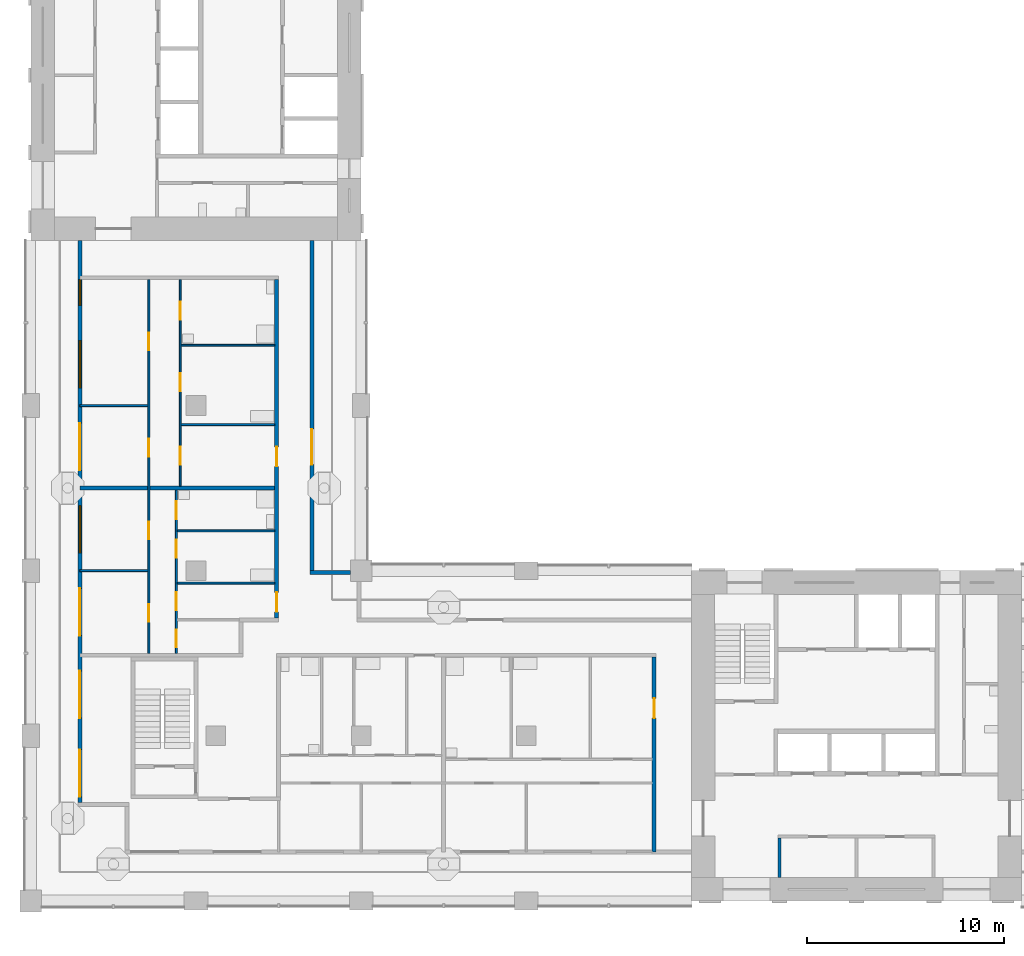
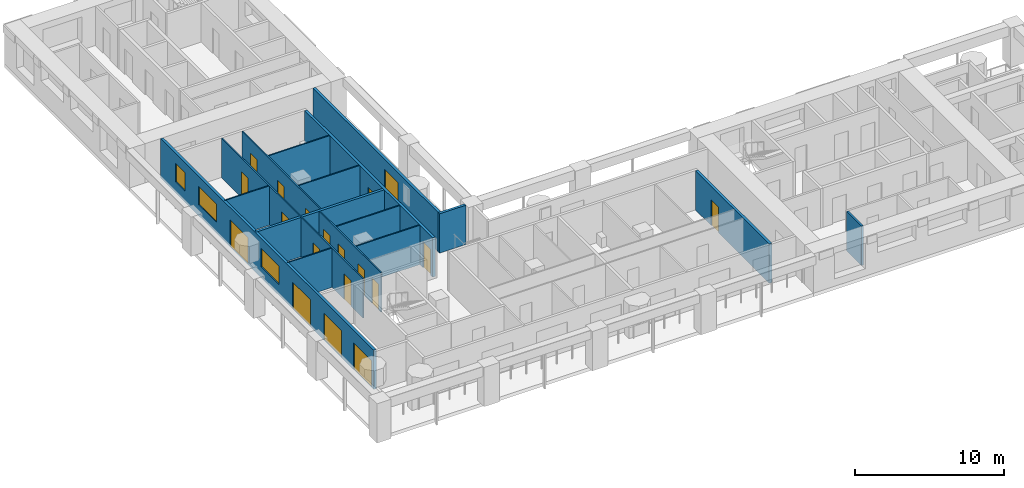
# One storey, part 3 of 13: 19 doors, 16 walls, 3 windows, 22 openings.
"""IFC4 building model written with IfcOpenShell, lengths in metres."""

import ifcopenshell
import ifcopenshell.guid

model = None  # the IFC model being written
_history = None  # IfcOwnerHistory: only IFC2X3 demands one
_inside = {}  # id of a spatial element -> (the spatial element, [elements in it])
_under = {}  # id of a project, library or spatial element -> (it, [spatial elements below it])
_declared = {}  # id of a project -> (the project, [libraries it declares])
_typed = {}  # id of a type object -> (the type object, [elements of that type])
_made_of = {}  # id of a material, layer set ... -> (it, [elements and type objects made of it])


def new_model(schema):
    """Start an empty IFC model of exactly this schema.

    Asked for "IFC4X3", IfcOpenShell would pick the latest addendum, in which some entities
    have other attributes; the version numbers below select the first issue.
    IFC2X3 requires an IfcOwnerHistory on every rooted entity: one is made here for all.
    """
    global model, _history
    if schema == "IFC4X3":
        model = ifcopenshell.file(schema_version=(4, 3, 0, 0))
    else:
        model = ifcopenshell.file(schema=schema)
    _inside.clear()
    _under.clear()
    _declared.clear()
    _typed.clear()
    _made_of.clear()
    _history = None
    if model.schema == "IFC2X3":
        org = make("IfcOrganization", Name="unknown")
        user = make(
            "IfcPersonAndOrganization",
            ThePerson=make("IfcPerson", FamilyName="unknown"),
            TheOrganization=org,
        )
        app = make(
            "IfcApplication",
            ApplicationDeveloper=org,
            Version="unknown",
            ApplicationFullName="unknown",
            ApplicationIdentifier="unknown",
        )
        _history = make(
            "IfcOwnerHistory",
            OwningUser=user,
            OwningApplication=app,
            ChangeAction="ADDED",
            CreationDate=0,
        )
    return model


def make(cls, **values):
    """One entity of the class cls with the attributes given. An attribute that is None is left unset."""
    return model.create_entity(
        cls, **{name: value for name, value in values.items() if value is not None}
    )


def rooted(cls, **values):
    """An entity with a GlobalId (a new one), such as an element, a storey or a relation."""
    return make(cls, GlobalId=ifcopenshell.guid.new(), OwnerHistory=_history, **values)


def si_unit(unit_type, name, prefix=None):
    """IfcSIUnit, for example si_unit("LENGTHUNIT", "METRE", prefix="MILLI")."""
    return make("IfcSIUnit", UnitType=unit_type, Prefix=prefix, Name=name)


def assignment(units):
    """IfcUnitAssignment: the units of a project."""
    return None if units is None else make("IfcUnitAssignment", Units=units)


def point(xyz):
    """IfcCartesianPoint."""
    return None if xyz is None else make("IfcCartesianPoint", Coordinates=xyz)


def direction(xyz):
    """IfcDirection."""
    return None if xyz is None else make("IfcDirection", DirectionRatios=xyz)


def frame(location, z_axis=None, x_axis=None):
    """IfcAxis2Placement3D, a coordinate frame: its origin and axes. An axis left out is left unset."""
    return make(
        "IfcAxis2Placement3D",
        Location=point(location),
        Axis=direction(z_axis),
        RefDirection=direction(x_axis),
    )


def frame_2d(location, x_axis=None):
    """IfcAxis2Placement2D, a coordinate frame in the plane: its origin and x axis."""
    return make(
        "IfcAxis2Placement2D", Location=point(location), RefDirection=direction(x_axis)
    )


def origin():
    """The frame at (0, 0, 0) with its axes left unset."""
    return frame((0.0, 0.0, 0.0))


def place(relative_to, where):
    """IfcLocalPlacement: puts the frame where relative to a parent placement (None: the world)."""
    return make(
        "IfcLocalPlacement", PlacementRelTo=relative_to, RelativePlacement=where
    )


def context(
    kind, dimensions, precision=None, world=None, true_north=None, identifier=None
):
    """IfcGeometricRepresentationContext, for example the 3D "Model" context."""
    return make(
        "IfcGeometricRepresentationContext",
        ContextIdentifier=identifier,
        ContextType=kind,
        CoordinateSpaceDimension=dimensions,
        Precision=precision,
        WorldCoordinateSystem=world,
        TrueNorth=true_north,
    )


def subcontext(parent, identifier, kind, view, scale=None):
    """IfcGeometricRepresentationSubContext, for example "Body" below "Model"."""
    return make(
        "IfcGeometricRepresentationSubContext",
        ContextIdentifier=identifier,
        ContextType=kind,
        ParentContext=parent,
        TargetScale=scale,
        TargetView=view,
    )


def project(units=None, contexts=None):
    """IfcProject with its units and contexts."""
    return rooted(
        "IfcProject",
        Name="project",
        RepresentationContexts=contexts,
        UnitsInContext=assignment(units),
    )


def spatial(cls, under=None, at=None, **own):
    """A site, building, storey or space (cls), placed at a placement, below another one or the project."""
    s = rooted(cls, ObjectPlacement=at, **own)
    if under is not None:
        _under.setdefault(under.id(), (under, []))[1].append(s)
    return s


def profile(cls, at=None, kind="AREA", **sizes):
    """A parametric profile (cls). Its sizes go by their IFC names, for example OverallWidth=200.0."""
    return make(cls, ProfileType=kind, Position=at, **sizes)


def rectangle(**sizes):
    """IfcRectangleProfileDef."""
    return profile("IfcRectangleProfileDef", **sizes)


def extrude(swept, where, along, depth):
    """IfcExtrudedAreaSolid: the profile swept, set in the frame where, extruded along a direction by depth."""
    return make(
        "IfcExtrudedAreaSolid",
        SweptArea=swept,
        Position=where,
        ExtrudedDirection=direction(along),
        Depth=depth,
    )


def shape(context_of_items, identifier, shape_type, items):
    """IfcShapeRepresentation: the items that make up one representation, for example the "Body"."""
    return make(
        "IfcShapeRepresentation",
        ContextOfItems=context_of_items,
        RepresentationIdentifier=identifier,
        RepresentationType=shape_type,
        Items=items,
    )


def material(Name=None, Category=None):
    """IfcMaterial."""
    return make("IfcMaterial", Name=Name, Category=Category)


def layer(
    of_material, thickness, ventilated=None, Name=None, Category=None, Priority=None
):
    """IfcMaterialLayer: one layer of a wall or slab, of a material (None: an air gap)."""
    return make(
        "IfcMaterialLayer",
        Material=of_material,
        LayerThickness=thickness,
        IsVentilated=ventilated,
        Name=Name,
        Category=Category,
        Priority=Priority,
    )


def layer_set(layers, Name=None):
    """IfcMaterialLayerSet."""
    return make("IfcMaterialLayerSet", MaterialLayers=layers, LayerSetName=Name)


def made_of(thing, what):
    """Note that an element or type object is made of a material, layer set ...; save() writes the relation."""
    if what is not None:
        _made_of.setdefault(what.id(), (what, []))[1].append(thing)
    return thing


def type_object(cls, material=None, **own):
    """A type object (cls), such as IfcWallType, which elements share."""
    return made_of(rooted(cls, **own), material)


def element(
    cls,
    number,
    at=None,
    inside=None,
    cuts=None,
    type_object=None,
    material=None,
    context=None,
    identifier="Body",
    shape_type=None,
    held_by="IfcProductDefinitionShape",
    body=None,
    shapes=None,
    **own,
):
    """One element of the class cls, such as IfcWall. Its Tag is "e" and its number.

    at: its placement. inside: the storey or other place that contains it. cuts: it is an
    opening in that element (IfcRelVoidsElement). A single representation is given by context,
    identifier, shape_type and body (its items); several are given by shapes. held_by: the class
    of the entity that holds the representations. save() writes the other relations.
    """
    e = rooted(cls, Tag="e%d" % number, ObjectPlacement=at, **own)
    if body is not None:
        shapes = [shape(context, identifier, shape_type, body)]
    if shapes is not None:
        e.Representation = make(held_by, Representations=shapes)
    if inside is not None:
        _inside.setdefault(inside.id(), (inside, []))[1].append(e)
    if cuts is not None:
        rooted(
            "IfcRelVoidsElement", RelatingBuildingElement=cuts, RelatedOpeningElement=e
        )
    if type_object is not None:
        _typed.setdefault(type_object.id(), (type_object, []))[1].append(e)
    return made_of(e, material)


def fill(opening, filler):
    """IfcRelFillsElement: the door or window that sits in an opening."""
    return rooted(
        "IfcRelFillsElement",
        RelatingOpeningElement=opening,
        RelatedBuildingElement=filler,
    )


def aggregate(whole, parts):
    """IfcRelAggregates: a whole, such as a stair, and the parts it consists of."""
    return rooted("IfcRelAggregates", RelatingObject=whole, RelatedObjects=parts)


def save(model, path):
    """Write the relations noted so far, then the file.

    IfcRelAggregates (storeys below a building ...), IfcRelContainedInSpatialStructure (elements
    in a storey), IfcRelDefinesByType, IfcRelAssociatesMaterial and IfcRelDeclares: one each for
    every whole, place, type object, material and project.
    """
    for whole, parts in _under.values():
        aggregate(whole, parts)
    for where, things in _inside.values():
        rooted(
            "IfcRelContainedInSpatialStructure",
            RelatedElements=things,
            RelatingStructure=where,
        )
    for kind, things in _typed.values():
        rooted("IfcRelDefinesByType", RelatedObjects=things, RelatingType=kind)
    for what, things in _made_of.values():
        rooted("IfcRelAssociatesMaterial", RelatedObjects=things, RelatingMaterial=what)
    for by, libraries in _declared.values():
        rooted("IfcRelDeclares", RelatingContext=by, RelatedDefinitions=libraries)
    model.write(path)


model = new_model("IFC4")

# Units and contexts
model_context = context("Model", 3, precision=1e-05, world=origin(), true_north=direction((0.0, 1.0)))
body_context = subcontext(model_context, "Body", "Model", "MODEL_VIEW")
ifc_project = project(units=[si_unit("LENGTHUNIT", "METRE"), si_unit("AREAUNIT", "SQUARE_METRE"), si_unit("VOLUMEUNIT", "CUBIC_METRE"), si_unit("PLANEANGLEUNIT", "RADIAN"), si_unit("MASSUNIT", "GRAM", prefix="KILO")], contexts=[model_context])

# Site, building, storey
site_placement = place(None, origin())
site = spatial("IfcSite", under=ifc_project, at=site_placement, CompositionType="ELEMENT")
building_placement = place(site_placement, origin())
building = spatial("IfcBuilding", under=site, at=building_placement, Name="Vermilion Gate Residences", CompositionType="ELEMENT")
storey_placement = place(building_placement, frame((0.0, 0.0, 186.199951171875)))
storey = spatial("IfcBuildingStorey", under=building, at=storey_placement, Name="L48", CompositionType="ELEMENT", Elevation=186.199951171875)

# Wall
ifc_material_1 = material(Name="Masonry blockwork", Category="masonry")
ifc_layer_1 = layer(ifc_material_1, 0.14990234375)
ifc_layer_set_1 = layer_set([ifc_layer_1], Name="BLOCKWORK PARTITION 150 EI 120")
wall_type_1 = type_object("IfcWallType", Name="BLOCKWORK PARTITION 150 EI 120", PredefinedType="PARTITIONING", material=ifc_layer_set_1)
wall_1_placement = place(storey_placement, frame((46.47509765625, 9.60009765625, 0.0), z_axis=(0.0, 0.0, 1.0), x_axis=(0.0, 1.0, 0.0)))
element("IfcWall", 1, at=wall_1_placement, inside=storey, type_object=wall_type_1, Name="Core room partition A48-RW-W", PredefinedType="PARTITIONING", context=body_context, shape_type="SweptSolid", body=[
    extrude(rectangle(XDim=2.0, YDim=0.14990234375, at=frame_2d((1.0, 0.0))), origin(), (0.0, 0.0, 1.0), 3.219970703125),
])

# Wall, openings, doors, windows
ifc_material_2 = material(Name="Insulated steel stud wall with terracotta rainscreen", Category="masonry")
ifc_layer_2 = layer(ifc_material_2, 0.199951171875)
ifc_layer_set_2 = layer_set([ifc_layer_2], Name="EXTERNAL WALL 200 TERRACOTTA RAINSCREEN")
wall_type_2 = type_object("IfcWallType", Name="EXTERNAL WALL 200 TERRACOTTA RAINSCREEN", PredefinedType="SOLIDWALL", material=ifc_layer_set_2)
wall_2_placement = place(storey_placement, frame((10.89990234375, 42.0, 0.0), z_axis=(0.0, 0.0, 1.0), x_axis=(0.0, -1.0, 0.0)))
wall_2 = element("IfcWall", 2, at=wall_2_placement, inside=storey, type_object=wall_type_2, Name="External wall", PredefinedType="SOLIDWALL", context=body_context, shape_type="SweptSolid", body=[
    extrude(rectangle(XDim=28.60009765625, YDim=0.199951171875, at=frame_2d((14.300048828125, 0.0))), origin(), (0.0, 0.0, 1.0), 3.219970703125),
])
opening_1_placement = place(wall_2_placement, frame((25.89990234375, 0.0, 0.0)))
opening_1 = element("IfcOpeningElement", 3, at=opening_1_placement, cuts=wall_2, Name="Opening DE48001", PredefinedType="OPENING", context=body_context, shape_type="SweptSolid", body=[
    extrude(rectangle(XDim=2.39990234375, YDim=2.199951171875, at=frame_2d((1.199951171875, 1.10009765625))), frame((0.0, 0.10986328125, 0.0), z_axis=(0.0, -1.0, 0.0), x_axis=(1.0, 0.0, 0.0)), (0.0, 0.0, 1.0), 0.219970703125),
])
opening_2_placement = place(wall_2_placement, frame((21.89990234375, 0.0, 0.0)))
opening_2 = element("IfcOpeningElement", 4, at=opening_2_placement, cuts=wall_2, Name="Opening DE48002", PredefinedType="OPENING", context=body_context, shape_type="SweptSolid", body=[
    extrude(rectangle(XDim=2.39990234375, YDim=2.199951171875, at=frame_2d((1.199951171875, 1.10009765625))), frame((0.0, 0.10986328125, 0.0), z_axis=(0.0, -1.0, 0.0), x_axis=(1.0, 0.0, 0.0)), (0.0, 0.0, 1.0), 0.219970703125),
])
opening_3_placement = place(wall_2_placement, frame((17.699951171875, 0.0, 0.0)))
opening_3 = element("IfcOpeningElement", 5, at=opening_3_placement, cuts=wall_2, Name="Opening DE48003", PredefinedType="OPENING", context=body_context, shape_type="SweptSolid", body=[
    extrude(rectangle(XDim=2.39990234375, YDim=2.199951171875, at=frame_2d((1.199951171875, 1.10009765625))), frame((0.0, 0.10986328125, 0.0), z_axis=(0.0, -1.0, 0.0), x_axis=(1.0, 0.0, 0.0)), (0.0, 0.0, 1.0), 0.219970703125),
])
opening_4_placement = place(wall_2_placement, frame((13.5, 0.0, 0.89990234375)))
opening_4 = element("IfcOpeningElement", 6, at=opening_4_placement, cuts=wall_2, Name="Opening WE48004", PredefinedType="OPENING", context=body_context, shape_type="SweptSolid", body=[
    extrude(rectangle(XDim=2.39990234375, YDim=1.5, at=frame_2d((1.199951171875, 0.75))), frame((0.0, 0.10986328125, 0.0), z_axis=(0.0, -1.0, 0.0), x_axis=(1.0, 0.0, 0.0)), (0.0, 0.0, 1.0), 0.219970703125),
])
opening_5_placement = place(wall_2_placement, frame((9.300048828125, 0.0, 0.0)))
opening_5 = element("IfcOpeningElement", 7, at=opening_5_placement, cuts=wall_2, Name="Opening DE48005", PredefinedType="OPENING", context=body_context, shape_type="SweptSolid", body=[
    extrude(rectangle(XDim=2.39990234375, YDim=2.199951171875, at=frame_2d((1.199951171875, 1.10009765625))), frame((0.0, 0.10986328125, 0.0), z_axis=(0.0, -1.0, 0.0), x_axis=(1.0, 0.0, 0.0)), (0.0, 0.0, 1.0), 0.219970703125),
])
opening_6_placement = place(wall_2_placement, frame((5.10009765625, 0.0, 0.89990234375)))
opening_6 = element("IfcOpeningElement", 8, at=opening_6_placement, cuts=wall_2, Name="Opening WE48006", PredefinedType="OPENING", context=body_context, shape_type="SweptSolid", body=[
    extrude(rectangle(XDim=2.39990234375, YDim=1.5, at=frame_2d((1.199951171875, 0.75))), frame((0.0, 0.10986328125, 0.0), z_axis=(0.0, -1.0, 0.0), x_axis=(1.0, 0.0, 0.0)), (0.0, 0.0, 1.0), 0.219970703125),
])
opening_7_placement = place(wall_2_placement, frame((2.0, 0.0, 0.89990234375)))
opening_7 = element("IfcOpeningElement", 9, at=opening_7_placement, cuts=wall_2, Name="Opening WE48007", PredefinedType="OPENING", context=body_context, shape_type="SweptSolid", body=[
    extrude(rectangle(XDim=1.300048828125, YDim=1.5, at=frame_2d((0.64990234375, 0.75))), frame((0.0, 0.10986328125, 0.0), z_axis=(0.0, -1.0, 0.0), x_axis=(1.0, 0.0, 0.0)), (0.0, 0.0, 1.0), 0.219970703125),
])
ifc_material_3 = material(Name="Aluminium and clear glass", Category="aluminium")
door_type_1 = type_object("IfcDoorType", Name="SLIDING GLAZED DOOR 2400 X 2200", OperationType="DOUBLE_DOOR_SLIDING", PredefinedType="DOOR", material=ifc_material_3)
door_1_placement = place(opening_1_placement, origin())
door_1 = element("IfcDoor", 10, at=door_1_placement, inside=storey, type_object=door_type_1, Name="Loggia sliding door", OperationType="DOUBLE_DOOR_SLIDING", OverallHeight=2.199951171875, OverallWidth=2.39990234375, PredefinedType="DOOR", context=body_context, shape_type="SweptSolid", body=[
    extrude(rectangle(XDim=2.39990234375, YDim=2.199951171875, at=frame_2d((1.199951171875, 1.10009765625))), frame((0.0, 0.02490234375, 0.0), z_axis=(0.0, -1.0, 0.0), x_axis=(1.0, 0.0, 0.0)), (0.0, 0.0, 1.0), 0.050048828125),
])
fill(opening_1, door_1)
door_2_placement = place(opening_2_placement, origin())
door_2 = element("IfcDoor", 11, at=door_2_placement, inside=storey, type_object=door_type_1, Name="Loggia sliding door", OperationType="DOUBLE_DOOR_SLIDING", OverallHeight=2.199951171875, OverallWidth=2.39990234375, PredefinedType="DOOR", context=body_context, shape_type="SweptSolid", body=[
    extrude(rectangle(XDim=2.39990234375, YDim=2.199951171875, at=frame_2d((1.199951171875, 1.10009765625))), frame((0.0, 0.02490234375, 0.0), z_axis=(0.0, -1.0, 0.0), x_axis=(1.0, 0.0, 0.0)), (0.0, 0.0, 1.0), 0.050048828125),
])
fill(opening_2, door_2)
door_3_placement = place(opening_3_placement, origin())
door_3 = element("IfcDoor", 12, at=door_3_placement, inside=storey, type_object=door_type_1, Name="Loggia sliding door", OperationType="DOUBLE_DOOR_SLIDING", OverallHeight=2.199951171875, OverallWidth=2.39990234375, PredefinedType="DOOR", context=body_context, shape_type="SweptSolid", body=[
    extrude(rectangle(XDim=2.39990234375, YDim=2.199951171875, at=frame_2d((1.199951171875, 1.10009765625))), frame((0.0, 0.02490234375, 0.0), z_axis=(0.0, -1.0, 0.0), x_axis=(1.0, 0.0, 0.0)), (0.0, 0.0, 1.0), 0.050048828125),
])
fill(opening_3, door_3)
door_4_placement = place(opening_5_placement, origin())
door_4 = element("IfcDoor", 13, at=door_4_placement, inside=storey, type_object=door_type_1, Name="Loggia sliding door", OperationType="DOUBLE_DOOR_SLIDING", OverallHeight=2.199951171875, OverallWidth=2.39990234375, PredefinedType="DOOR", context=body_context, shape_type="SweptSolid", body=[
    extrude(rectangle(XDim=2.39990234375, YDim=2.199951171875, at=frame_2d((1.199951171875, 1.10009765625))), frame((0.0, 0.02490234375, 0.0), z_axis=(0.0, -1.0, 0.0), x_axis=(1.0, 0.0, 0.0)), (0.0, 0.0, 1.0), 0.050048828125),
])
fill(opening_5, door_4)
ifc_material_4 = material(Name="Aluminium and clear glass", Category="aluminium")
window_type_1 = type_object("IfcWindowType", Name="WINDOW 1300 X 1500", PartitioningType="SINGLE_PANEL", PredefinedType="WINDOW", material=ifc_material_4)
window_1_placement = place(opening_7_placement, origin())
window_1 = element("IfcWindow", 14, at=window_1_placement, inside=storey, type_object=window_type_1, Name="Window", OverallHeight=1.5, OverallWidth=1.300048828125, PartitioningType="SINGLE_PANEL", PredefinedType="WINDOW", context=body_context, shape_type="SweptSolid", body=[
    extrude(rectangle(XDim=1.300048828125, YDim=1.5, at=frame_2d((0.64990234375, 0.75))), frame((0.0, 0.030029296875, 0.0), z_axis=(0.0, -1.0, 0.0), x_axis=(1.0, 0.0, 0.0)), (0.0, 0.0, 1.0), 0.06005859375),
])
fill(opening_7, window_1)
ifc_material_5 = material(Name="Aluminium and clear glass", Category="aluminium")
window_type_2 = type_object("IfcWindowType", Name="WINDOW 2400 X 1500", PartitioningType="SINGLE_PANEL", PredefinedType="WINDOW", material=ifc_material_5)
window_2_placement = place(opening_4_placement, origin())
window_2 = element("IfcWindow", 15, at=window_2_placement, inside=storey, type_object=window_type_2, Name="Window", OverallHeight=1.5, OverallWidth=2.39990234375, PartitioningType="SINGLE_PANEL", PredefinedType="WINDOW", context=body_context, shape_type="SweptSolid", body=[
    extrude(rectangle(XDim=2.39990234375, YDim=1.5, at=frame_2d((1.199951171875, 0.75))), frame((0.0, 0.030029296875, 0.0), z_axis=(0.0, -1.0, 0.0), x_axis=(1.0, 0.0, 0.0)), (0.0, 0.0, 1.0), 0.06005859375),
])
fill(opening_4, window_2)
window_3_placement = place(opening_6_placement, origin())
window_3 = element("IfcWindow", 16, at=window_3_placement, inside=storey, type_object=window_type_2, Name="Window", OverallHeight=1.5, OverallWidth=2.39990234375, PartitioningType="SINGLE_PANEL", PredefinedType="WINDOW", context=body_context, shape_type="SweptSolid", body=[
    extrude(rectangle(XDim=2.39990234375, YDim=1.5, at=frame_2d((1.199951171875, 0.75))), frame((0.0, 0.030029296875, 0.0), z_axis=(0.0, -1.0, 0.0), x_axis=(1.0, 0.0, 0.0)), (0.0, 0.0, 1.0), 0.06005859375),
])
fill(opening_6, window_3)

# Wall
wall_3_placement = place(storey_placement, frame((24.64990234375, 25.10009765625, 0.0), z_axis=(0.0, 0.0, 1.0), x_axis=(-1.0, 0.0, 0.0)))
element("IfcWall", 17, at=wall_3_placement, inside=storey, type_object=wall_type_2, Name="External wall", PredefinedType="SOLIDWALL", context=body_context, shape_type="SweptSolid", body=[
    extrude(rectangle(XDim=2.0498046875, YDim=0.199951171875, at=frame_2d((1.02490234375, 0.0))), origin(), (0.0, 0.0, 1.0), 3.219970703125),
])

# Wall, opening, door
wall_4_placement = place(storey_placement, frame((22.699951171875, 25.199951171875, 0.0), z_axis=(0.0, 0.0, 1.0), x_axis=(0.0, 1.0, 0.0)))
wall_4 = element("IfcWall", 18, at=wall_4_placement, inside=storey, type_object=wall_type_2, Name="External wall", PredefinedType="SOLIDWALL", context=body_context, shape_type="SweptSolid", body=[
    extrude(rectangle(XDim=16.800048828125, YDim=0.199951171875, at=frame_2d((8.39990234375, 0.0))), origin(), (0.0, 0.0, 1.0), 3.219970703125),
])
opening_8_placement = place(wall_4_placement, frame((5.39990234375, 0.0, 0.0)))
opening_8 = element("IfcOpeningElement", 19, at=opening_8_placement, cuts=wall_4, Name="Opening DE48021", PredefinedType="OPENING", context=body_context, shape_type="SweptSolid", body=[
    extrude(rectangle(XDim=1.800048828125, YDim=2.39990234375, at=frame_2d((0.89990234375, 1.199951171875))), frame((0.0, 0.10986328125, 0.0), z_axis=(0.0, -1.0, 0.0), x_axis=(1.0, 0.0, 0.0)), (0.0, 0.0, 1.0), 0.219970703125),
])
ifc_material_6 = material(Name="Aluminium and clear glass", Category="aluminium")
door_type_2 = type_object("IfcDoorType", Name="GLAZED EXTERNAL DOOR 1800 X 2400", OperationType="DOUBLE_DOOR_SINGLE_SWING", PredefinedType="DOOR", material=ifc_material_6)
door_5_placement = place(opening_8_placement, frame((1.800048828125, 0.0, 0.0), z_axis=(0.0, 0.0, 1.0), x_axis=(-1.0, 0.0, 0.0)))
door_5 = element("IfcDoor", 20, at=door_5_placement, inside=storey, type_object=door_type_2, Name="Gallery door", OperationType="DOUBLE_DOOR_SINGLE_SWING", OverallHeight=2.39990234375, OverallWidth=1.800048828125, PredefinedType="DOOR", context=body_context, shape_type="SweptSolid", body=[
    extrude(rectangle(XDim=1.800048828125, YDim=2.39990234375, at=frame_2d((0.89990234375, 1.199951171875))), frame((0.0, 0.02490234375, 0.0), z_axis=(0.0, -1.0, 0.0), x_axis=(1.0, 0.0, 0.0)), (0.0, 0.0, 1.0), 0.050048828125),
])
fill(opening_8, door_5)

# Walls
ifc_material_7 = material(Name="Plasterboard on steel studs", Category="steel")
ifc_layer_3 = layer(ifc_material_7, 0.10009765625)
ifc_layer_set_3 = layer_set([ifc_layer_3], Name="PARTITION 100")
wall_type_3 = type_object("IfcWallType", Name="PARTITION 100", PredefinedType="PARTITIONING", material=ifc_layer_set_3)
wall_5_placement = place(storey_placement, frame((15.85009765625, 24.56298828125, 0.0), z_axis=(0.0, 0.0, 1.0), x_axis=(1.0, 0.0, 0.0)))
element("IfcWall", 21, at=wall_5_placement, inside=storey, type_object=wall_type_3, Name="Partition", PredefinedType="PARTITIONING", context=body_context, shape_type="SweptSolid", body=[
    extrude(rectangle(XDim=4.949951171875, YDim=0.10009765625, at=frame_2d((2.47509765625, 0.0))), origin(), (0.0, 0.0, 1.0), 3.219970703125),
])
wall_6_placement = place(storey_placement, frame((10.89990234375, 25.199951171875, 0.0), z_axis=(0.0, 0.0, 1.0), x_axis=(1.0, 0.0, 0.0)))
element("IfcWall", 22, at=wall_6_placement, inside=storey, type_object=wall_type_3, Name="Partition", PredefinedType="PARTITIONING", context=body_context, shape_type="SweptSolid", body=[
    extrude(rectangle(XDim=3.4501953125, YDim=0.10009765625, at=frame_2d((1.72509765625, 0.0))), origin(), (0.0, 0.0, 1.0), 3.219970703125),
])
wall_7_placement = place(storey_placement, frame((15.85009765625, 27.22509765625, 0.0), z_axis=(0.0, 0.0, 1.0), x_axis=(1.0, 0.0, 0.0)))
element("IfcWall", 23, at=wall_7_placement, inside=storey, type_object=wall_type_3, Name="Partition", PredefinedType="PARTITIONING", context=body_context, shape_type="SweptSolid", body=[
    extrude(rectangle(XDim=4.949951171875, YDim=0.10009765625, at=frame_2d((2.47509765625, 0.0))), origin(), (0.0, 0.0, 1.0), 3.219970703125),
])
wall_8_placement = place(storey_placement, frame((16.050048828125, 32.633056640625, 0.0), z_axis=(0.0, 0.0, 1.0), x_axis=(1.0, 0.0, 0.0)))
element("IfcWall", 24, at=wall_8_placement, inside=storey, type_object=wall_type_3, Name="Partition", PredefinedType="PARTITIONING", context=body_context, shape_type="SweptSolid", body=[
    extrude(rectangle(XDim=4.75, YDim=0.10009765625, at=frame_2d((2.375, 0.0))), origin(), (0.0, 0.0, 1.0), 3.219970703125),
])
wall_9_placement = place(storey_placement, frame((10.89990234375, 33.60009765625, 0.0), z_axis=(0.0, 0.0, 1.0), x_axis=(1.0, 0.0, 0.0)))
element("IfcWall", 25, at=wall_9_placement, inside=storey, type_object=wall_type_3, Name="Partition", PredefinedType="PARTITIONING", context=body_context, shape_type="SweptSolid", body=[
    extrude(rectangle(XDim=3.4501953125, YDim=0.10009765625, at=frame_2d((1.72509765625, 0.0))), origin(), (0.0, 0.0, 1.0), 3.219970703125),
])
wall_10_placement = place(storey_placement, frame((16.050048828125, 36.6669921875, 0.0), z_axis=(0.0, 0.0, 1.0), x_axis=(1.0, 0.0, 0.0)))
element("IfcWall", 26, at=wall_10_placement, inside=storey, type_object=wall_type_3, Name="Partition", PredefinedType="PARTITIONING", context=body_context, shape_type="SweptSolid", body=[
    extrude(rectangle(XDim=4.75, YDim=0.10009765625, at=frame_2d((2.375, 0.0))), origin(), (0.0, 0.0, 1.0), 3.219970703125),
])

# Wall, openings, doors
wall_11_placement = place(storey_placement, frame((14.39990234375, 21.0, 0.0), z_axis=(0.0, 0.0, 1.0), x_axis=(0.0, 1.0, 0.0)))
wall_11 = element("IfcWall", 27, at=wall_11_placement, inside=storey, type_object=wall_type_3, Name="Partition", PredefinedType="PARTITIONING", context=body_context, shape_type="SweptSolid", body=[
    extrude(rectangle(XDim=19.0, YDim=0.10009765625, at=frame_2d((9.5, 0.0))), origin(), (0.0, 0.0, 1.0), 3.219970703125),
])
opening_9_placement = place(wall_11_placement, frame((1.60009765625, 0.0, 0.0)))
opening_9 = element("IfcOpeningElement", 28, at=opening_9_placement, cuts=wall_11, Name="Opening DA46014", PredefinedType="OPENING", context=body_context, shape_type="SweptSolid", body=[
    extrude(rectangle(XDim=0.89990234375, YDim=2.10009765625, at=frame_2d((0.449951171875, 1.050048828125))), frame((0.0, 0.06005859375, 0.0), z_axis=(0.0, -1.0, 0.0), x_axis=(1.0, 0.0, 0.0)), (0.0, 0.0, 1.0), 0.1201171875),
])
opening_10_placement = place(wall_11_placement, frame((5.800048828125, 0.0, 0.0)))
opening_10 = element("IfcOpeningElement", 29, at=opening_10_placement, cuts=wall_11, Name="Opening DA46015", PredefinedType="OPENING", context=body_context, shape_type="SweptSolid", body=[
    extrude(rectangle(XDim=0.89990234375, YDim=2.10009765625, at=frame_2d((0.449951171875, 1.050048828125))), frame((0.0, 0.06005859375, 0.0), z_axis=(0.0, -1.0, 0.0), x_axis=(1.0, 0.0, 0.0)), (0.0, 0.0, 1.0), 0.1201171875),
])
opening_11_placement = place(wall_11_placement, frame((10.0, 0.0, 0.0)))
opening_11 = element("IfcOpeningElement", 30, at=opening_11_placement, cuts=wall_11, Name="Opening DA46016", PredefinedType="OPENING", context=body_context, shape_type="SweptSolid", body=[
    extrude(rectangle(XDim=0.89990234375, YDim=2.10009765625, at=frame_2d((0.449951171875, 1.050048828125))), frame((0.0, 0.06005859375, 0.0), z_axis=(0.0, -1.0, 0.0), x_axis=(1.0, 0.0, 0.0)), (0.0, 0.0, 1.0), 0.1201171875),
])
opening_12_placement = place(wall_11_placement, frame((15.39990234375, 0.0, 0.0)))
opening_12 = element("IfcOpeningElement", 31, at=opening_12_placement, cuts=wall_11, Name="Opening DA46017", PredefinedType="OPENING", context=body_context, shape_type="SweptSolid", body=[
    extrude(rectangle(XDim=0.89990234375, YDim=2.10009765625, at=frame_2d((0.449951171875, 1.050048828125))), frame((0.0, 0.06005859375, 0.0), z_axis=(0.0, -1.0, 0.0), x_axis=(1.0, 0.0, 0.0)), (0.0, 0.0, 1.0), 0.1201171875),
])
ifc_material_8 = material(Name="Timber", Category="wood")
door_type_3 = type_object("IfcDoorType", Name="INTERIOR DOOR 900 X 2100", OperationType="SINGLE_SWING_LEFT", PredefinedType="DOOR", material=ifc_material_8)
door_6_placement = place(opening_9_placement, origin())
door_6 = element("IfcDoor", 32, at=door_6_placement, inside=storey, type_object=door_type_3, Name="Interior door", OperationType="SINGLE_SWING_LEFT", OverallHeight=2.10009765625, OverallWidth=0.89990234375, PredefinedType="DOOR", context=body_context, shape_type="SweptSolid", body=[
    extrude(rectangle(XDim=0.89990234375, YDim=2.10009765625, at=frame_2d((0.449951171875, 1.050048828125))), frame((0.0, 0.02490234375, 0.0), z_axis=(0.0, -1.0, 0.0), x_axis=(1.0, 0.0, 0.0)), (0.0, 0.0, 1.0), 0.050048828125),
])
fill(opening_9, door_6)
door_7_placement = place(opening_10_placement, origin())
door_7 = element("IfcDoor", 33, at=door_7_placement, inside=storey, type_object=door_type_3, Name="Interior door", OperationType="SINGLE_SWING_LEFT", OverallHeight=2.10009765625, OverallWidth=0.89990234375, PredefinedType="DOOR", context=body_context, shape_type="SweptSolid", body=[
    extrude(rectangle(XDim=0.89990234375, YDim=2.10009765625, at=frame_2d((0.449951171875, 1.050048828125))), frame((0.0, 0.02490234375, 0.0), z_axis=(0.0, -1.0, 0.0), x_axis=(1.0, 0.0, 0.0)), (0.0, 0.0, 1.0), 0.050048828125),
])
fill(opening_10, door_7)
door_8_placement = place(opening_11_placement, origin())
door_8 = element("IfcDoor", 34, at=door_8_placement, inside=storey, type_object=door_type_3, Name="Interior door", OperationType="SINGLE_SWING_LEFT", OverallHeight=2.10009765625, OverallWidth=0.89990234375, PredefinedType="DOOR", context=body_context, shape_type="SweptSolid", body=[
    extrude(rectangle(XDim=0.89990234375, YDim=2.10009765625, at=frame_2d((0.449951171875, 1.050048828125))), frame((0.0, 0.02490234375, 0.0), z_axis=(0.0, -1.0, 0.0), x_axis=(1.0, 0.0, 0.0)), (0.0, 0.0, 1.0), 0.050048828125),
])
fill(opening_11, door_8)
door_9_placement = place(opening_12_placement, origin())
door_9 = element("IfcDoor", 35, at=door_9_placement, inside=storey, type_object=door_type_3, Name="Interior door", OperationType="SINGLE_SWING_RIGHT", OverallHeight=2.10009765625, OverallWidth=0.89990234375, PredefinedType="DOOR", context=body_context, shape_type="SweptSolid", body=[
    extrude(rectangle(XDim=0.89990234375, YDim=2.10009765625, at=frame_2d((0.449951171875, 1.050048828125))), frame((0.0, 0.02490234375, 0.0), z_axis=(0.0, -1.0, 0.0), x_axis=(1.0, 0.0, 0.0)), (0.0, 0.0, 1.0), 0.050048828125),
])
fill(opening_12, door_9)

wall_12_placement = place(storey_placement, frame((15.800048828125, 21.0, 0.0), z_axis=(0.0, 0.0, 1.0), x_axis=(0.0, 1.0, 0.0)))
wall_12 = element("IfcWall", 36, at=wall_12_placement, inside=storey, type_object=wall_type_3, Name="Partition", PredefinedType="PARTITIONING", context=body_context, shape_type="SweptSolid", body=[
    extrude(rectangle(XDim=8.300048828125, YDim=0.10009765625, at=frame_2d((4.14990234375, 0.0))), origin(), (0.0, 0.0, 1.0), 3.219970703125),
])
opening_13_placement = place(wall_12_placement, frame((2.199951171875, 0.0, 0.0)))
opening_13 = element("IfcOpeningElement", 37, at=opening_13_placement, cuts=wall_12, Name="Opening DA46018", PredefinedType="OPENING", context=body_context, shape_type="SweptSolid", body=[
    extrude(rectangle(XDim=0.89990234375, YDim=2.10009765625, at=frame_2d((0.449951171875, 1.050048828125))), frame((0.0, 0.06005859375, 0.0), z_axis=(0.0, -1.0, 0.0), x_axis=(1.0, 0.0, 0.0)), (0.0, 0.0, 1.0), 0.1201171875),
])
opening_14_placement = place(wall_12_placement, frame((0.300048828125, 0.0, 0.0)))
opening_14 = element("IfcOpeningElement", 38, at=opening_14_placement, cuts=wall_12, Name="Opening DA46019", PredefinedType="OPENING", context=body_context, shape_type="SweptSolid", body=[
    extrude(rectangle(XDim=0.89990234375, YDim=2.10009765625, at=frame_2d((0.449951171875, 1.050048828125))), frame((0.0, 0.06005859375, 0.0), z_axis=(0.0, -1.0, 0.0), x_axis=(1.0, 0.0, 0.0)), (0.0, 0.0, 1.0), 0.1201171875),
])
opening_15_placement = place(wall_12_placement, frame((4.863037109375, 0.0, 0.0)))
opening_15 = element("IfcOpeningElement", 39, at=opening_15_placement, cuts=wall_12, Name="Opening DA46020", PredefinedType="OPENING", context=body_context, shape_type="SweptSolid", body=[
    extrude(rectangle(XDim=0.89990234375, YDim=2.10009765625, at=frame_2d((0.449951171875, 1.050048828125))), frame((0.0, 0.06005859375, 0.0), z_axis=(0.0, -1.0, 0.0), x_axis=(1.0, 0.0, 0.0)), (0.0, 0.0, 1.0), 0.1201171875),
])
opening_16_placement = place(wall_12_placement, frame((6.824951171875, 0.0, 0.0)))
opening_16 = element("IfcOpeningElement", 40, at=opening_16_placement, cuts=wall_12, Name="Opening DA46021", PredefinedType="OPENING", context=body_context, shape_type="SweptSolid", body=[
    extrude(rectangle(XDim=0.89990234375, YDim=2.10009765625, at=frame_2d((0.449951171875, 1.050048828125))), frame((0.0, 0.06005859375, 0.0), z_axis=(0.0, -1.0, 0.0), x_axis=(1.0, 0.0, 0.0)), (0.0, 0.0, 1.0), 0.1201171875),
])
door_10_placement = place(opening_13_placement, frame((0.89990234375, 0.0, 0.0), z_axis=(0.0, 0.0, 1.0), x_axis=(-1.0, 0.0, 0.0)))
door_10 = element("IfcDoor", 41, at=door_10_placement, inside=storey, type_object=door_type_3, Name="Interior door", OperationType="SINGLE_SWING_LEFT", OverallHeight=2.10009765625, OverallWidth=0.89990234375, PredefinedType="DOOR", context=body_context, shape_type="SweptSolid", body=[
    extrude(rectangle(XDim=0.89990234375, YDim=2.10009765625, at=frame_2d((0.449951171875, 1.050048828125))), frame((0.0, 0.02490234375, 0.0), z_axis=(0.0, -1.0, 0.0), x_axis=(1.0, 0.0, 0.0)), (0.0, 0.0, 1.0), 0.050048828125),
])
fill(opening_13, door_10)
door_11_placement = place(opening_14_placement, frame((0.89990234375, 0.0, 0.0), z_axis=(0.0, 0.0, 1.0), x_axis=(-1.0, 0.0, 0.0)))
door_11 = element("IfcDoor", 42, at=door_11_placement, inside=storey, type_object=door_type_3, Name="Interior door", OperationType="SINGLE_SWING_RIGHT", OverallHeight=2.10009765625, OverallWidth=0.89990234375, PredefinedType="DOOR", context=body_context, shape_type="SweptSolid", body=[
    extrude(rectangle(XDim=0.89990234375, YDim=2.10009765625, at=frame_2d((0.449951171875, 1.050048828125))), frame((0.0, 0.02490234375, 0.0), z_axis=(0.0, -1.0, 0.0), x_axis=(1.0, 0.0, 0.0)), (0.0, 0.0, 1.0), 0.050048828125),
])
fill(opening_14, door_11)
door_12_placement = place(opening_15_placement, frame((0.89990234375, 0.0, 0.0), z_axis=(0.0, 0.0, 1.0), x_axis=(-1.0, 0.0, 0.0)))
door_12 = element("IfcDoor", 43, at=door_12_placement, inside=storey, type_object=door_type_3, Name="Interior door", OperationType="SINGLE_SWING_LEFT", OverallHeight=2.10009765625, OverallWidth=0.89990234375, PredefinedType="DOOR", context=body_context, shape_type="SweptSolid", body=[
    extrude(rectangle(XDim=0.89990234375, YDim=2.10009765625, at=frame_2d((0.449951171875, 1.050048828125))), frame((0.0, 0.02490234375, 0.0), z_axis=(0.0, -1.0, 0.0), x_axis=(1.0, 0.0, 0.0)), (0.0, 0.0, 1.0), 0.050048828125),
])
fill(opening_15, door_12)
door_13_placement = place(opening_16_placement, frame((0.89990234375, 0.0, 0.0), z_axis=(0.0, 0.0, 1.0), x_axis=(-1.0, 0.0, 0.0)))
door_13 = element("IfcDoor", 44, at=door_13_placement, inside=storey, type_object=door_type_3, Name="Interior door", OperationType="SINGLE_SWING_LEFT", OverallHeight=2.10009765625, OverallWidth=0.89990234375, PredefinedType="DOOR", context=body_context, shape_type="SweptSolid", body=[
    extrude(rectangle(XDim=0.89990234375, YDim=2.10009765625, at=frame_2d((0.449951171875, 1.050048828125))), frame((0.0, 0.02490234375, 0.0), z_axis=(0.0, -1.0, 0.0), x_axis=(1.0, 0.0, 0.0)), (0.0, 0.0, 1.0), 0.050048828125),
])
fill(opening_16, door_13)

wall_13_placement = place(storey_placement, frame((16.0, 29.5, 0.0), z_axis=(0.0, 0.0, 1.0), x_axis=(0.0, 1.0, 0.0)))
wall_13 = element("IfcWall", 45, at=wall_13_placement, inside=storey, type_object=wall_type_3, Name="Partition", PredefinedType="PARTITIONING", context=body_context, shape_type="SweptSolid", body=[
    extrude(rectangle(XDim=10.5, YDim=0.10009765625, at=frame_2d((5.25, 0.0))), origin(), (0.0, 0.0, 1.0), 3.219970703125),
])
opening_17_placement = place(wall_13_placement, frame((1.10009765625, 0.0, 0.0)))
opening_17 = element("IfcOpeningElement", 46, at=opening_17_placement, cuts=wall_13, Name="Opening DA46022", PredefinedType="OPENING", context=body_context, shape_type="SweptSolid", body=[
    extrude(rectangle(XDim=0.89990234375, YDim=2.10009765625, at=frame_2d((0.449951171875, 1.050048828125))), frame((0.0, 0.06005859375, 0.0), z_axis=(0.0, -1.0, 0.0), x_axis=(1.0, 0.0, 0.0)), (0.0, 0.0, 1.0), 0.1201171875),
])
opening_18_placement = place(wall_13_placement, frame((4.8330078125, 0.0, 0.0)))
opening_18 = element("IfcOpeningElement", 47, at=opening_18_placement, cuts=wall_13, Name="Opening DA46023", PredefinedType="OPENING", context=body_context, shape_type="SweptSolid", body=[
    extrude(rectangle(XDim=0.89990234375, YDim=2.10009765625, at=frame_2d((0.449951171875, 1.050048828125))), frame((0.0, 0.06005859375, 0.0), z_axis=(0.0, -1.0, 0.0), x_axis=(1.0, 0.0, 0.0)), (0.0, 0.0, 1.0), 0.1201171875),
])
opening_19_placement = place(wall_13_placement, frame((8.467041015625, 0.0, 0.0)))
opening_19 = element("IfcOpeningElement", 48, at=opening_19_placement, cuts=wall_13, Name="Opening DA46024", PredefinedType="OPENING", context=body_context, shape_type="SweptSolid", body=[
    extrude(rectangle(XDim=0.89990234375, YDim=2.10009765625, at=frame_2d((0.449951171875, 1.050048828125))), frame((0.0, 0.06005859375, 0.0), z_axis=(0.0, -1.0, 0.0), x_axis=(1.0, 0.0, 0.0)), (0.0, 0.0, 1.0), 0.1201171875),
])
door_14_placement = place(opening_17_placement, frame((0.89990234375, 0.0, 0.0), z_axis=(0.0, 0.0, 1.0), x_axis=(-1.0, 0.0, 0.0)))
door_14 = element("IfcDoor", 49, at=door_14_placement, inside=storey, type_object=door_type_3, Name="Interior door", OperationType="SINGLE_SWING_LEFT", OverallHeight=2.10009765625, OverallWidth=0.89990234375, PredefinedType="DOOR", context=body_context, shape_type="SweptSolid", body=[
    extrude(rectangle(XDim=0.89990234375, YDim=2.10009765625, at=frame_2d((0.449951171875, 1.050048828125))), frame((0.0, 0.02490234375, 0.0), z_axis=(0.0, -1.0, 0.0), x_axis=(1.0, 0.0, 0.0)), (0.0, 0.0, 1.0), 0.050048828125),
])
fill(opening_17, door_14)
door_15_placement = place(opening_18_placement, frame((0.89990234375, 0.0, 0.0), z_axis=(0.0, 0.0, 1.0), x_axis=(-1.0, 0.0, 0.0)))
door_15 = element("IfcDoor", 50, at=door_15_placement, inside=storey, type_object=door_type_3, Name="Interior door", OperationType="SINGLE_SWING_LEFT", OverallHeight=2.10009765625, OverallWidth=0.89990234375, PredefinedType="DOOR", context=body_context, shape_type="SweptSolid", body=[
    extrude(rectangle(XDim=0.89990234375, YDim=2.10009765625, at=frame_2d((0.449951171875, 1.050048828125))), frame((0.0, 0.02490234375, 0.0), z_axis=(0.0, -1.0, 0.0), x_axis=(1.0, 0.0, 0.0)), (0.0, 0.0, 1.0), 0.050048828125),
])
fill(opening_18, door_15)
door_16_placement = place(opening_19_placement, frame((0.89990234375, 0.0, 0.0), z_axis=(0.0, 0.0, 1.0), x_axis=(-1.0, 0.0, 0.0)))
door_16 = element("IfcDoor", 51, at=door_16_placement, inside=storey, type_object=door_type_3, Name="Interior door", OperationType="SINGLE_SWING_RIGHT", OverallHeight=2.10009765625, OverallWidth=0.89990234375, PredefinedType="DOOR", context=body_context, shape_type="SweptSolid", body=[
    extrude(rectangle(XDim=0.89990234375, YDim=2.10009765625, at=frame_2d((0.449951171875, 1.050048828125))), frame((0.0, 0.02490234375, 0.0), z_axis=(0.0, -1.0, 0.0), x_axis=(1.0, 0.0, 0.0)), (0.0, 0.0, 1.0), 0.050048828125),
])
fill(opening_19, door_16)

# Wall
ifc_material_9 = material(Name="Fire-rated plasterboard on steel studs", Category="steel")
ifc_layer_4 = layer(ifc_material_9, 0.199951171875)
ifc_layer_set_4 = layer_set([ifc_layer_4], Name="PARTY WALL 200 EI 120")
wall_type_4 = type_object("IfcWallType", Name="PARTY WALL 200 EI 120", PredefinedType="PARTITIONING", material=ifc_layer_set_4)
wall_14_placement = place(storey_placement, frame((10.89990234375, 29.39990234375, 0.0), z_axis=(0.0, 0.0, 1.0), x_axis=(1.0, 0.0, 0.0)))
element("IfcWall", 52, at=wall_14_placement, inside=storey, type_object=wall_type_4, Name="Party and corridor wall", PredefinedType="PARTITIONING", context=body_context, shape_type="SweptSolid", body=[
    extrude(rectangle(XDim=9.900146484375, YDim=0.199951171875, at=frame_2d((4.9501953125, 0.0))), origin(), (0.0, 0.0, 1.0), 3.219970703125),
])

# Wall, openings, doors
wall_15_placement = place(storey_placement, frame((20.89990234375, 22.800048828125, 0.0), z_axis=(0.0, 0.0, 1.0), x_axis=(0.0, 1.0, 0.0)))
wall_15 = element("IfcWall", 53, at=wall_15_placement, inside=storey, type_object=wall_type_4, Name="Party and corridor wall", PredefinedType="PARTITIONING", context=body_context, shape_type="SweptSolid", body=[
    extrude(rectangle(XDim=17.199951171875, YDim=0.199951171875, at=frame_2d((8.60009765625, 0.0))), origin(), (0.0, 0.0, 1.0), 3.219970703125),
])
opening_20_placement = place(wall_15_placement, frame((0.300048828125, 0.0, 0.0)))
opening_20 = element("IfcOpeningElement", 54, at=opening_20_placement, cuts=wall_15, Name="Opening DA46025", PredefinedType="OPENING", context=body_context, shape_type="SweptSolid", body=[
    extrude(rectangle(XDim=1.0, YDim=2.10009765625, at=frame_2d((0.5, 1.050048828125))), frame((0.0, 0.10986328125, 0.0), z_axis=(0.0, -1.0, 0.0), x_axis=(1.0, 0.0, 0.0)), (0.0, 0.0, 1.0), 0.219970703125),
])
opening_21_placement = place(wall_15_placement, frame((7.699951171875, 0.0, 0.0)))
opening_21 = element("IfcOpeningElement", 55, at=opening_21_placement, cuts=wall_15, Name="Opening DA46026", PredefinedType="OPENING", context=body_context, shape_type="SweptSolid", body=[
    extrude(rectangle(XDim=1.0, YDim=2.10009765625, at=frame_2d((0.5, 1.050048828125))), frame((0.0, 0.10986328125, 0.0), z_axis=(0.0, -1.0, 0.0), x_axis=(1.0, 0.0, 0.0)), (0.0, 0.0, 1.0), 0.219970703125),
])
ifc_material_10 = material(Name="Steel", Category="steel")
door_type_4 = type_object("IfcDoorType", Name="ENTRANCE DOOR 1000 X 2100 FD30", OperationType="SINGLE_SWING_LEFT", PredefinedType="DOOR", material=ifc_material_10)
door_17_placement = place(opening_20_placement, origin())
door_17 = element("IfcDoor", 56, at=door_17_placement, inside=storey, type_object=door_type_4, Name="Entrance door", OperationType="SINGLE_SWING_LEFT", OverallHeight=2.10009765625, OverallWidth=1.0, PredefinedType="DOOR", context=body_context, shape_type="SweptSolid", body=[
    extrude(rectangle(XDim=1.0, YDim=2.10009765625, at=frame_2d((0.5, 1.050048828125))), frame((0.0, 0.02490234375, 0.0), z_axis=(0.0, -1.0, 0.0), x_axis=(1.0, 0.0, 0.0)), (0.0, 0.0, 1.0), 0.050048828125),
])
fill(opening_20, door_17)
door_18_placement = place(opening_21_placement, origin())
door_18 = element("IfcDoor", 57, at=door_18_placement, inside=storey, type_object=door_type_4, Name="Entrance door", OperationType="SINGLE_SWING_LEFT", OverallHeight=2.10009765625, OverallWidth=1.0, PredefinedType="DOOR", context=body_context, shape_type="SweptSolid", body=[
    extrude(rectangle(XDim=1.0, YDim=2.10009765625, at=frame_2d((0.5, 1.050048828125))), frame((0.0, 0.02490234375, 0.0), z_axis=(0.0, -1.0, 0.0), x_axis=(1.0, 0.0, 0.0)), (0.0, 0.0, 1.0), 0.050048828125),
])
fill(opening_21, door_18)

# Wall, opening, door
wall_16_placement = place(storey_placement, frame((40.10009765625, 10.89990234375, 0.0), z_axis=(0.0, 0.0, 1.0), x_axis=(0.0, 1.0, 0.0)))
wall_16 = element("IfcWall", 58, at=wall_16_placement, inside=storey, type_object=wall_type_4, Name="Party and corridor wall", PredefinedType="PARTITIONING", context=body_context, shape_type="SweptSolid", body=[
    extrude(rectangle(XDim=9.900146484375, YDim=0.199951171875, at=frame_2d((4.9501953125, 0.0))), origin(), (0.0, 0.0, 1.0), 3.219970703125),
])
opening_22_placement = place(wall_16_placement, frame((6.800048828125, 0.0, 0.0)))
opening_22 = element("IfcOpeningElement", 59, at=opening_22_placement, cuts=wall_16, Name="Opening DA46027", PredefinedType="OPENING", context=body_context, shape_type="SweptSolid", body=[
    extrude(rectangle(XDim=1.0, YDim=2.10009765625, at=frame_2d((0.5, 1.050048828125))), frame((0.0, 0.10986328125, 0.0), z_axis=(0.0, -1.0, 0.0), x_axis=(1.0, 0.0, 0.0)), (0.0, 0.0, 1.0), 0.219970703125),
])
door_19_placement = place(opening_22_placement, origin())
door_19 = element("IfcDoor", 60, at=door_19_placement, inside=storey, type_object=door_type_4, Name="Entrance door", OperationType="SINGLE_SWING_LEFT", OverallHeight=2.10009765625, OverallWidth=1.0, PredefinedType="DOOR", context=body_context, shape_type="SweptSolid", body=[
    extrude(rectangle(XDim=1.0, YDim=2.10009765625, at=frame_2d((0.5, 1.050048828125))), frame((0.0, 0.02490234375, 0.0), z_axis=(0.0, -1.0, 0.0), x_axis=(1.0, 0.0, 0.0)), (0.0, 0.0, 1.0), 0.050048828125),
])
fill(opening_22, door_19)

save(model, "model.ifc")
